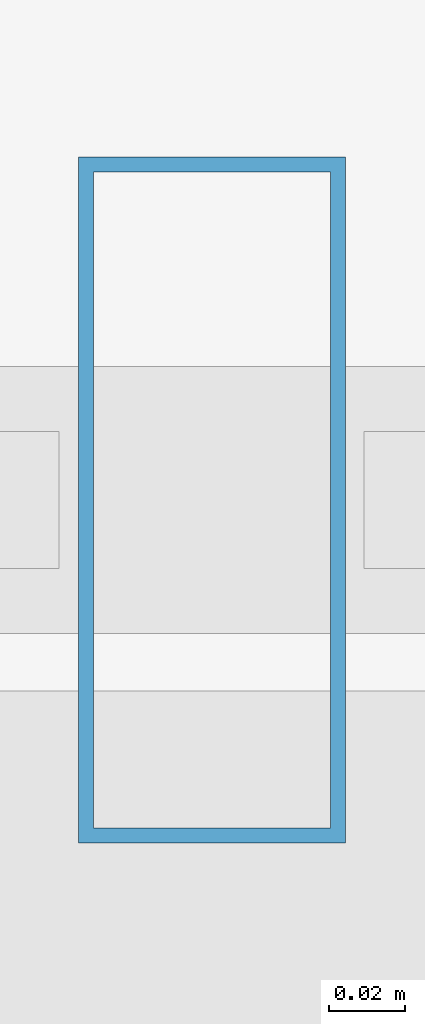
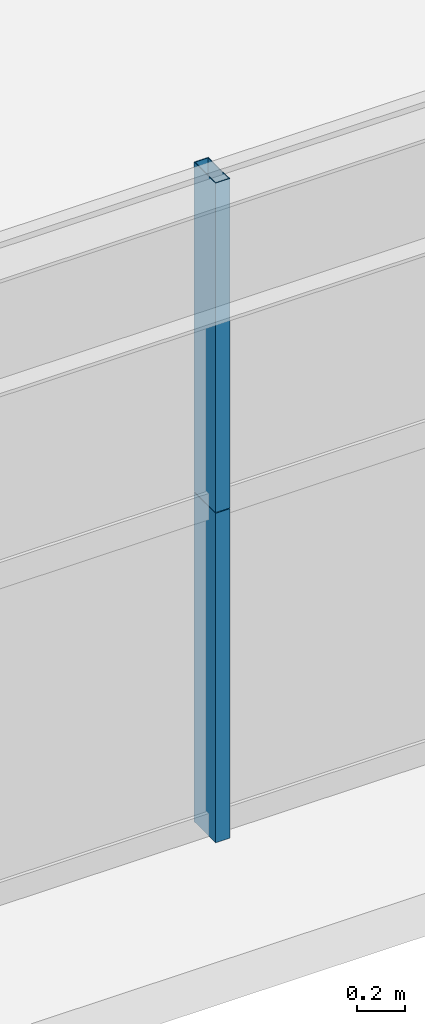
# One storey, part 13 of 43: 2 members, 1 element without a shape of its own.
"""IFC4 building model written with IfcOpenShell, lengths in metres."""

from ifc_helpers import new_model, si_unit, direction, frame, origin, origin_2d, place, context, subcontext, project, spatial, hollow_rectangle, extrude, source, transform, mapped, material, layer, layer_set, material_profile, profile_set, type_object, element, aggregate, save


model = new_model("IFC4")

# Units and contexts
model_context = context("Model", 3, precision=1e-05, world=origin(), true_north=direction((0.0, 1.0)))
body_context = subcontext(model_context, "Body", "Model", "MODEL_VIEW")
ifc_project = project(units=[si_unit("LENGTHUNIT", "METRE"), si_unit("AREAUNIT", "SQUARE_METRE"), si_unit("VOLUMEUNIT", "CUBIC_METRE"), si_unit("PLANEANGLEUNIT", "RADIAN"), si_unit("MASSUNIT", "GRAM", prefix="KILO"), si_unit("THERMODYNAMICTEMPERATUREUNIT", "KELVIN"), si_unit("POWERUNIT", "WATT")], contexts=[model_context])

# Site, building, storey
site_placement = place(None, origin())
site = spatial("IfcSite", under=ifc_project, at=site_placement, CompositionType="ELEMENT")
building_placement = place(site_placement, origin())
building = spatial("IfcBuilding", under=site, at=building_placement, Name="Yuzanri Waterfront Tower", CompositionType="ELEMENT")
storey_placement = place(building_placement, frame((0.0, 0.0, 74.800048828125)))
storey = spatial("IfcBuildingStorey", under=building, at=storey_placement, Name="L19", CompositionType="ELEMENT", Elevation=74.800048828125)

# Curtain wall, members
ifc_material_1 = material(Name="Anodized Architectural Bronze", Category="metal")
ifc_layer = layer(ifc_material_1, 0.159912109375)
ifc_layer_set = layer_set([ifc_layer], Name="Anodized Architectural Bronze")
curtain_wall_type = type_object("IfcCurtainWallType", Name="Anodized Bronze Hotel Lower-Tier Recessed Unitized Curtain Wall 8100", PredefinedType="NOTDEFINED", material=ifc_layer_set)
curtain_wall_placement = place(storey_placement, origin())
curtain_wall = element("IfcCurtainWall", 1, at=curtain_wall_placement, inside=storey, type_object=curtain_wall_type, Name="L19 Curtain Wall CW-L19-SR", PredefinedType="NOTDEFINED")
ifc_material_2 = material(Name="Anodized Architectural Bronze", Category="metal")
ifc_material_profile = material_profile(ifc_material_2, hollow_rectangle(XDim=0.070068359375, YDim=0.179931640625, WallThickness=0.00390625, at=origin_2d()), Name="CWM 70x180")
ifc_profile_set = profile_set([ifc_material_profile], Name="Anodized Architectural Bronze")
member_type = type_object("IfcMemberType", Name="Anodized Bronze Standard Curtain-Wall Mullion 70x180", PredefinedType="MULLION", material=ifc_profile_set)
shared_shape = source(origin(), body_context, "Body", "SweptSolid", [
    extrude(hollow_rectangle(XDim=0.070068359375, YDim=0.179931640625, WallThickness=0.00390625, at=origin_2d()), origin(), (0.0, 0.0, 1.0), 1.68798828125),
])
member_1_placement = place(storey_placement, frame((46.10009765625, 0.85009765625, 0.0), z_axis=(0.0, 0.0, 1.0), x_axis=(1.0, 0.0, 0.0)))
member_1 = element("IfcMember", 2, at=member_1_placement, type_object=member_type, Name="CW-L19-SR Lower Mullion 01", PredefinedType="MULLION", context=body_context, shape_type="MappedRepresentation", body=[
    mapped(shared_shape, transform((0.0, 0.0, 0.0), scale=1.0)),
])
member_2_placement = place(storey_placement, frame((46.10009765625, 0.85009765625, 1.69189453125), z_axis=(0.0, 0.0, 1.0), x_axis=(1.0, 0.0, 0.0)))
member_2 = element("IfcMember", 3, at=member_2_placement, type_object=member_type, Name="CW-L19-SR Upper Mullion 01", PredefinedType="MULLION", context=body_context, shape_type="MappedRepresentation", body=[
    mapped(shared_shape, transform((0.0, 0.0, 0.0), scale=1.0)),
])
aggregate(curtain_wall, [member_1, member_2])

save(model, "model.ifc")
